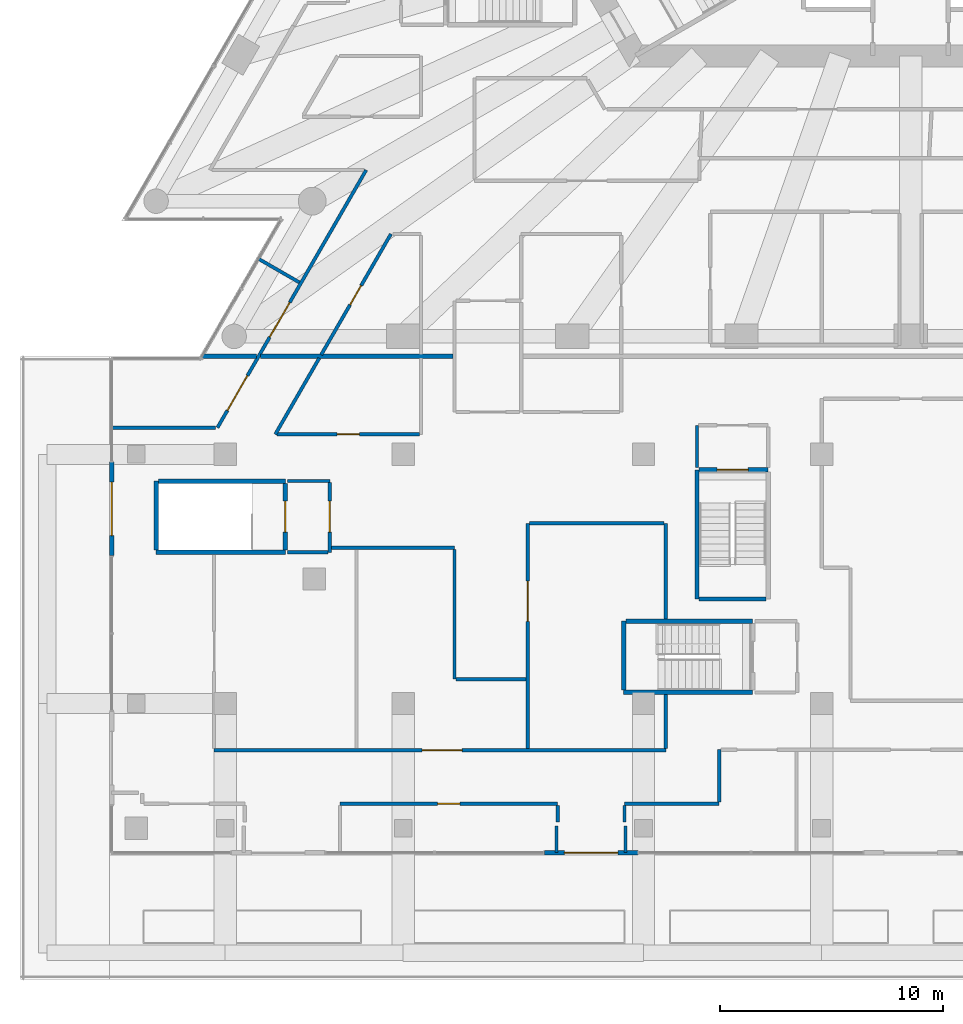
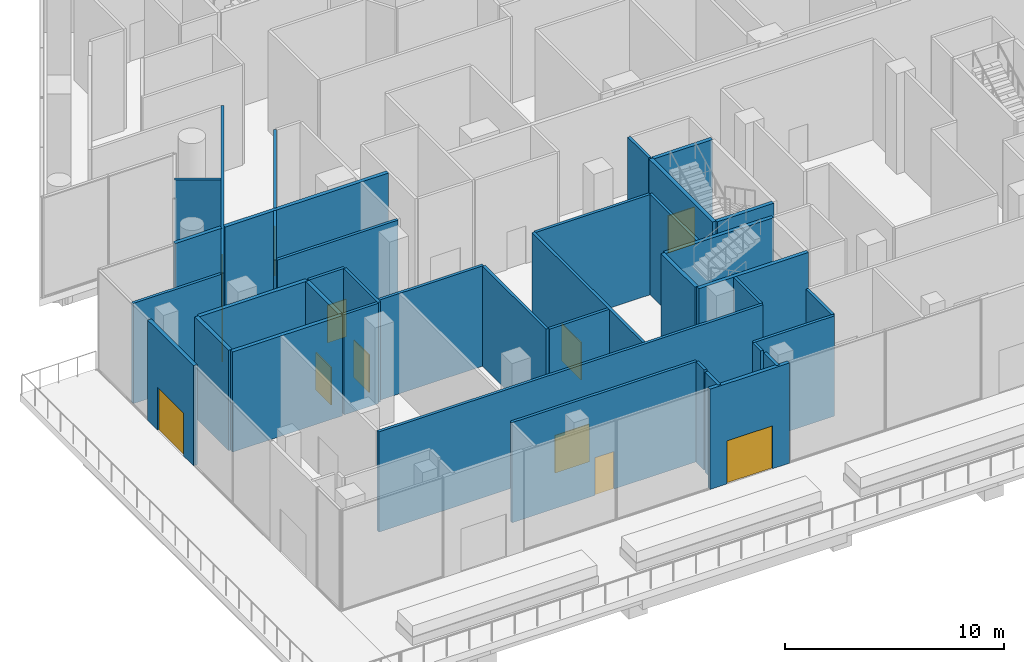
# One storey, part 22 of 36: 39 walls, 12 doors, 12 openings.
"""IFC4 building model written with IfcOpenShell, lengths in metres."""

from ifc_helpers import new_model, si_unit, direction, frame, frame_2d, origin, place, context, subcontext, project, spatial, rectangle, extrude, material, layer, layer_set, layer_usage, type_object, element, fill, save


model = new_model("IFC4")

# Units and contexts
model_context = context("Model", 3, precision=1e-05, world=origin(), true_north=direction((0.0, 1.0)))
body_context = subcontext(model_context, "Body", "Model", "MODEL_VIEW")
ifc_project = project(units=[si_unit("LENGTHUNIT", "METRE"), si_unit("AREAUNIT", "SQUARE_METRE"), si_unit("VOLUMEUNIT", "CUBIC_METRE"), si_unit("PLANEANGLEUNIT", "RADIAN"), si_unit("MASSUNIT", "GRAM", prefix="KILO")], contexts=[model_context])

# Site, building, storey
site_placement = place(None, origin())
site = spatial("IfcSite", under=ifc_project, at=site_placement, CompositionType="ELEMENT")
building_placement = place(site_placement, origin())
building = spatial("IfcBuilding", under=site, at=building_placement, Name="Triada Interchange Tower", CompositionType="ELEMENT")
storey_placement = place(building_placement, frame((0.0, 0.0, 8.5)))
storey = spatial("IfcBuildingStorey", under=building, at=storey_placement, Name="L01", CompositionType="ELEMENT", Elevation=8.5)

# Walls
ifc_material_1 = material(Name="Concrete C30/37", Category="concrete")
ifc_layer_1 = layer(ifc_material_1, 0.199951171875)
ifc_layer_set_1 = layer_set([ifc_layer_1], Name="COMPARTMENT WALL 200 EI 180")
wall_type_1 = type_object("IfcWallType", Name="COMPARTMENT WALL 200 EI 180", PredefinedType="SOLIDWALL", material=ifc_layer_set_1)
wall_1_placement = place(storey_placement, frame((-31.841064453125, -22.5, 0.0), z_axis=(0.0, 0.0, 1.0), x_axis=(1.0, 0.0, 0.0)))
element("IfcWall", 1, at=wall_1_placement, inside=storey, type_object=wall_type_1, Name="Compartment wall L01 49", PredefinedType="SOLIDWALL", context=body_context, shape_type="SweptSolid", body=[
    extrude(rectangle(XDim=2.4541015625, YDim=0.199951171875, at=frame_2d((1.22705078125, 0.0))), origin(), (0.0, 0.0, 1.0), 5.60009765625),
])
wall_2_placement = place(storey_placement, frame((-29.214111328125, -22.5, 0.0), z_axis=(0.0, 0.0, 1.0), x_axis=(1.0, 0.0, 0.0)))
element("IfcWall", 2, at=wall_2_placement, inside=storey, type_object=wall_type_1, Name="Compartment wall L01 50", PredefinedType="SOLIDWALL", context=body_context, shape_type="SweptSolid", body=[
    extrude(rectangle(XDim=8.63916015625, YDim=0.199951171875, at=frame_2d((4.319580078125, 0.0))), origin(), (0.0, 0.0, 1.0), 5.60009765625),
])
ifc_layer_2 = layer(ifc_material_1, 0.199951171875)
ifc_layer_set_2 = layer_set([ifc_layer_2], Name="CORE WALL 200 REI 240")
wall_type_2 = type_object("IfcWallType", Name="CORE WALL 200 REI 240", PredefinedType="SOLIDWALL", material=ifc_layer_set_2)
wall_3_placement = place(storey_placement, frame((-33.89990234375, -31.300048828125, 0.0), z_axis=(0.0, 0.0, 1.0), x_axis=(1.0, 0.0, 0.0)))
element("IfcWall", 3, at=wall_3_placement, inside=storey, type_object=wall_type_2, Name="Wall L01 235", PredefinedType="SOLIDWALL", context=body_context, shape_type="SweptSolid", body=[
    extrude(rectangle(XDim=5.7998046875, YDim=0.199951171875, at=frame_2d((2.89990234375, 0.0))), origin(), (0.0, 0.0, 1.0), 5.60009765625),
])
wall_4_placement = place(storey_placement, frame((-33.89990234375, -31.199951171875, 0.0), z_axis=(0.0, 0.0, 1.0), x_axis=(0.0, 1.0, 0.0)))
element("IfcWall", 4, at=wall_4_placement, inside=storey, type_object=wall_type_2, Name="Wall L01 237", PredefinedType="SOLIDWALL", context=body_context, shape_type="SweptSolid", body=[
    extrude(rectangle(XDim=3.099853515625, YDim=0.199951171875, at=frame_2d((1.5498046875, 0.0))), origin(), (0.0, 0.0, 1.0), 5.60009765625),
])
wall_5_placement = place(storey_placement, frame((-33.800048828125, -28.10009765625, 0.0), z_axis=(0.0, 0.0, 1.0), x_axis=(1.0, 0.0, 0.0)))
element("IfcWall", 5, at=wall_5_placement, inside=storey, type_object=wall_type_2, Name="Wall L01 238", PredefinedType="SOLIDWALL", context=body_context, shape_type="SweptSolid", body=[
    extrude(rectangle(XDim=5.699951171875, YDim=0.199951171875, at=frame_2d((2.85009765625, 0.0))), origin(), (0.0, 0.0, 1.0), 5.60009765625),
])

# Wall, opening, door
wall_6_placement = place(storey_placement, frame((-28.10009765625, -31.199951171875, 0.0), z_axis=(0.0, 0.0, 1.0), x_axis=(0.0, 1.0, 0.0)))
wall_6 = element("IfcWall", 6, at=wall_6_placement, inside=storey, type_object=wall_type_2, Name="Wall L01 240", PredefinedType="SOLIDWALL", context=body_context, shape_type="SweptSolid", body=[
    extrude(rectangle(XDim=3.0, YDim=0.199951171875, at=frame_2d((1.5, 0.0))), origin(), (0.0, 0.0, 1.0), 5.60009765625),
])
opening_1_placement = place(wall_6_placement, frame((0.800048828125, 0.0, 0.0)))
opening_1 = element("IfcOpeningElement", 7, at=opening_1_placement, cuts=wall_6, Name="Opening D01-23", PredefinedType="OPENING", context=body_context, shape_type="SweptSolid", body=[
    extrude(rectangle(XDim=1.39990234375, YDim=2.10009765625, at=frame_2d((0.699951171875, 1.050048828125))), frame((0.0, 0.10986328125, 0.0), z_axis=(0.0, -1.0, 0.0), x_axis=(1.0, 0.0, 0.0)), (0.0, 0.0, 1.0), 0.219970703125),
])
ifc_material_2 = material(Name="Steel S235 door leaf", Category="steel")
door_type_1 = type_object("IfcDoorType", Name="STAIR DOOR 1400 EI2 90-C5S200", OperationType="DOUBLE_DOOR_SINGLE_SWING", PredefinedType="DOOR", material=ifc_material_2)
door_1_placement = place(opening_1_placement, origin())
door_1 = element("IfcDoor", 8, at=door_1_placement, inside=storey, type_object=door_type_1, Name="Door D01-23 L01", OperationType="DOUBLE_DOOR_SINGLE_SWING", OverallHeight=2.10009765625, OverallWidth=1.39990234375, PredefinedType="DOOR", context=body_context, shape_type="SweptSolid", body=[
    extrude(rectangle(XDim=1.39990234375, YDim=2.10009765625, at=frame_2d((0.699951171875, 1.050048828125))), frame((0.0, 0.02490234375, 0.0), z_axis=(0.0, -1.0, 0.0), x_axis=(1.0, 0.0, 0.0)), (0.0, 0.0, 1.0), 0.050048828125),
])
fill(opening_1, door_1)

# Walls
wall_7_placement = place(storey_placement, frame((-12.89990234375, -37.60009765625, 0.0), z_axis=(0.0, 0.0, 1.0), x_axis=(1.0, 0.0, 0.0)))
element("IfcWall", 9, at=wall_7_placement, inside=storey, type_object=wall_type_2, Name="Wall L01 247", PredefinedType="SOLIDWALL", context=body_context, shape_type="SweptSolid", body=[
    extrude(rectangle(XDim=5.7998046875, YDim=0.199951171875, at=frame_2d((2.89990234375, 0.0))), origin(), (0.0, 0.0, 1.0), 5.60009765625),
])
wall_8_placement = place(storey_placement, frame((-12.89990234375, -37.5, 0.0), z_axis=(0.0, 0.0, 1.0), x_axis=(0.0, 1.0, 0.0)))
element("IfcWall", 10, at=wall_8_placement, inside=storey, type_object=wall_type_2, Name="Wall L01 249", PredefinedType="SOLIDWALL", context=body_context, shape_type="SweptSolid", body=[
    extrude(rectangle(XDim=3.10009765625, YDim=0.199951171875, at=frame_2d((1.550048828125, 0.0))), origin(), (0.0, 0.0, 1.0), 5.60009765625),
])
wall_9_placement = place(storey_placement, frame((-12.800048828125, -34.39990234375, 0.0), z_axis=(0.0, 0.0, 1.0), x_axis=(1.0, 0.0, 0.0)))
element("IfcWall", 11, at=wall_9_placement, inside=storey, type_object=wall_type_2, Name="Wall L01 250", PredefinedType="SOLIDWALL", context=body_context, shape_type="SweptSolid", body=[
    extrude(rectangle(XDim=5.699951171875, YDim=0.199951171875, at=frame_2d((2.85009765625, 0.0))), origin(), (0.0, 0.0, 1.0), 5.60009765625),
])
wall_10_placement = place(storey_placement, frame((-9.60009765625, -33.39990234375, 0.0), z_axis=(0.0, 0.0, 1.0), x_axis=(0.0, 1.0, 0.0)))
element("IfcWall", 12, at=wall_10_placement, inside=storey, type_object=wall_type_2, Name="Wall L01 253", PredefinedType="SOLIDWALL", context=body_context, shape_type="SweptSolid", body=[
    extrude(rectangle(XDim=5.7998046875, YDim=0.199951171875, at=frame_2d((2.89990234375, 0.0))), origin(), (0.0, 0.0, 1.0), 5.60009765625),
])

# Wall, opening, door
wall_11_placement = place(storey_placement, frame((-9.5, -27.60009765625, 0.0), z_axis=(0.0, 0.0, 1.0), x_axis=(1.0, 0.0, 0.0)))
wall_11 = element("IfcWall", 13, at=wall_11_placement, inside=storey, type_object=wall_type_2, Name="Wall L01 254", PredefinedType="SOLIDWALL", context=body_context, shape_type="SweptSolid", body=[
    extrude(rectangle(XDim=3.10009765625, YDim=0.199951171875, at=frame_2d((1.550048828125, 0.0))), origin(), (0.0, 0.0, 1.0), 5.60009765625),
])
opening_2_placement = place(wall_11_placement, frame((0.800048828125, 0.0, 0.0)))
opening_2 = element("IfcOpeningElement", 14, at=opening_2_placement, cuts=wall_11, Name="Opening D01-29", PredefinedType="OPENING", context=body_context, shape_type="SweptSolid", body=[
    extrude(rectangle(XDim=1.39990234375, YDim=2.10009765625, at=frame_2d((0.699951171875, 1.050048828125))), frame((0.0, 0.10986328125, 0.0), z_axis=(0.0, -1.0, 0.0), x_axis=(1.0, 0.0, 0.0)), (0.0, 0.0, 1.0), 0.219970703125),
])
door_2_placement = place(opening_2_placement, origin())
door_2 = element("IfcDoor", 15, at=door_2_placement, inside=storey, type_object=door_type_1, Name="Door D01-29 L01", OperationType="DOUBLE_DOOR_SINGLE_SWING", OverallHeight=2.10009765625, OverallWidth=1.39990234375, PredefinedType="DOOR", context=body_context, shape_type="SweptSolid", body=[
    extrude(rectangle(XDim=1.39990234375, YDim=2.10009765625, at=frame_2d((0.699951171875, 1.050048828125))), frame((0.0, 0.02490234375, 0.0), z_axis=(0.0, -1.0, 0.0), x_axis=(1.0, 0.0, 0.0)), (0.0, 0.0, 1.0), 0.050048828125),
])
fill(opening_2, door_2)

# Wall
wall_12_placement = place(storey_placement, frame((-9.5, -33.39990234375, 0.0), z_axis=(0.0, 0.0, 1.0), x_axis=(1.0, 0.0, 0.0)))
element("IfcWall", 16, at=wall_12_placement, inside=storey, type_object=wall_type_2, Name="Wall L01 257", PredefinedType="SOLIDWALL", context=body_context, shape_type="SweptSolid", body=[
    extrude(rectangle(XDim=3.0, YDim=0.199951171875, at=frame_2d((1.5, 0.0))), origin(), (0.0, 0.0, 1.0), 5.60009765625),
])

# Wall, opening, door
ifc_material_3 = material(Name="Cement board")
ifc_layer_3 = layer(ifc_material_3, 0.02001953125, Name="Cement board cladding")
ifc_material_4 = material(Name="Sheathing board")
ifc_layer_4 = layer(ifc_material_4, 0.014892578125, Name="Sheathing board")
ifc_material_5 = material(Name="Mineral wool")
ifc_layer_5 = layer(ifc_material_5, 0.14990234375, Name="Mineral wool between steel studs")
ifc_material_6 = material(Name="Gypsum board")
ifc_layer_6 = layer(ifc_material_6, 0.014892578125, Name="Plasterboard lining")
ifc_layer_set_3 = layer_set([ifc_layer_3, ifc_layer_4, ifc_layer_5, ifc_layer_6], Name="External wall 200")
ifc_layer_usage = layer_usage(ifc_layer_set_3, "AXIS2", "POSITIVE", -0.10009765625)
wall_type_3 = type_object("IfcWallType", Name="External wall 200", PredefinedType="ELEMENTEDWALL", material=ifc_layer_set_3)
wall_13_placement = place(storey_placement, frame((-16.4599609375, -44.800048828125, 0.0), z_axis=(0.0, 0.0, 1.0), x_axis=(1.0, 0.0, 0.0)))
wall_13 = element("IfcWall", 17, at=wall_13_placement, inside=storey, type_object=wall_type_3, material=ifc_layer_usage, Name="External wall L01 00.3", PredefinedType="ELEMENTEDWALL", context=body_context, shape_type="SweptSolid", body=[
    extrude(rectangle(XDim=4.199951171875, YDim=0.199951171875, at=frame_2d((2.10009765625, 0.0))), origin(), (0.0, 0.0, 1.0), 5.60009765625),
])
opening_3_placement = place(wall_13_placement, frame((0.89990234375, 0.0, 0.0)))
opening_3 = element("IfcOpeningElement", 18, at=opening_3_placement, cuts=wall_13, Name="Opening DX30", PredefinedType="OPENING", context=body_context, shape_type="SweptSolid", body=[
    extrude(rectangle(XDim=2.39990234375, YDim=2.39990234375, at=frame_2d((1.199951171875, 1.199951171875))), frame((0.0, 0.10986328125, 0.0), z_axis=(0.0, -1.0, 0.0), x_axis=(1.0, 0.0, 0.0)), (0.0, 0.0, 1.0), 0.219970703125),
])
ifc_material_7 = material(Name="Aluminium and glass", Category="aluminium")
door_type_2 = type_object("IfcDoorType", Name="Terrace door double", OperationType="DOUBLE_DOOR_SINGLE_SWING", PredefinedType="DOOR", material=ifc_material_7)
door_3_placement = place(opening_3_placement, frame((2.39990234375, 0.0, 0.0), z_axis=(0.0, 0.0, 1.0), x_axis=(-1.0, 0.0, 0.0)))
door_3 = element("IfcDoor", 19, at=door_3_placement, inside=storey, type_object=door_type_2, Name="Door DX30 L01", OperationType="DOUBLE_DOOR_SINGLE_SWING", OverallHeight=2.39990234375, OverallWidth=2.39990234375, PredefinedType="DOOR", context=body_context, shape_type="SweptSolid", body=[
    extrude(rectangle(XDim=2.39990234375, YDim=2.39990234375, at=frame_2d((1.199951171875, 1.199951171875))), frame((0.0, 0.02490234375, 0.0), z_axis=(0.0, -1.0, 0.0), x_axis=(1.0, 0.0, 0.0)), (0.0, 0.0, 1.0), 0.050048828125),
])
fill(opening_3, door_3)

wall_14_placement = place(storey_placement, frame((-35.89990234375, -27.25, 0.0), z_axis=(0.0, 0.0, 1.0), x_axis=(0.0, -1.0, 0.0)))
wall_14 = element("IfcWall", 20, at=wall_14_placement, inside=storey, type_object=wall_type_3, material=ifc_layer_usage, Name="External wall L01 12.1", PredefinedType="ELEMENTEDWALL", context=body_context, shape_type="SweptSolid", body=[
    extrude(rectangle(XDim=4.199951171875, YDim=0.199951171875, at=frame_2d((2.10009765625, 0.0))), origin(), (0.0, 0.0, 1.0), 5.60009765625),
])
opening_4_placement = place(wall_14_placement, frame((0.89990234375, 0.0, 0.0)))
opening_4 = element("IfcOpeningElement", 21, at=opening_4_placement, cuts=wall_14, Name="Opening DX36", PredefinedType="OPENING", context=body_context, shape_type="SweptSolid", body=[
    extrude(rectangle(XDim=2.39990234375, YDim=2.39990234375, at=frame_2d((1.199951171875, 1.199951171875))), frame((0.0, 0.10986328125, 0.0), z_axis=(0.0, -1.0, 0.0), x_axis=(1.0, 0.0, 0.0)), (0.0, 0.0, 1.0), 0.219970703125),
])
door_4_placement = place(opening_4_placement, frame((2.39990234375, 0.0, 0.0), z_axis=(0.0, 0.0, 1.0), x_axis=(-1.0, 0.0, 0.0)))
door_4 = element("IfcDoor", 22, at=door_4_placement, inside=storey, type_object=door_type_2, Name="Door DX36 L01", OperationType="DOUBLE_DOOR_SINGLE_SWING", OverallHeight=2.39990234375, OverallWidth=2.39990234375, PredefinedType="DOOR", context=body_context, shape_type="SweptSolid", body=[
    extrude(rectangle(XDim=2.39990234375, YDim=2.39990234375, at=frame_2d((1.199951171875, 1.199951171875))), frame((0.0, 0.02490234375, 0.0), z_axis=(0.0, -1.0, 0.0), x_axis=(1.0, 0.0, 0.0)), (0.0, 0.0, 1.0), 0.050048828125),
])
fill(opening_4, door_4)

# Walls
ifc_material_8 = material(Name="Gypsum board partition")
ifc_layer_7 = layer(ifc_material_8, 0.14990234375)
ifc_layer_set_4 = layer_set([ifc_layer_7], Name="PARTITION 150")
wall_type_4 = type_object("IfcWallType", Name="PARTITION 150", PredefinedType="PARTITIONING", material=ifc_layer_set_4)
wall_15_placement = place(storey_placement, frame((-29.30810546875, -18.113037109375, 0.0), z_axis=(0.0, 0.0, 1.0), x_axis=(0.866214269573, -0.499672732084, 0.0)))
element("IfcWall", 23, at=wall_15_placement, inside=storey, type_object=wall_type_4, Name="Wall L01 56", PredefinedType="PARTITIONING", context=body_context, shape_type="SweptSolid", body=[
    extrude(rectangle(XDim=2.12548828125, YDim=0.14990234375, at=frame_2d((1.062744140625, 0.0))), origin(), (0.0, 0.0, 1.0), 5.60009765625),
])
ifc_layer_8 = layer(ifc_material_8, 0.14990234375)
ifc_layer_set_5 = layer_set([ifc_layer_8], Name="PARTITION 150 EI 180")
wall_type_5 = type_object("IfcWallType", Name="PARTITION 150 EI 180", PredefinedType="PARTITIONING", material=ifc_layer_set_5)
wall_16_placement = place(storey_placement, frame((-28.0, -28.10009765625, 0.0), z_axis=(0.0, 0.0, 1.0), x_axis=(1.0, 0.0, 0.0)))
element("IfcWall", 24, at=wall_16_placement, inside=storey, type_object=wall_type_5, Name="Wall L01 1", PredefinedType="PARTITIONING", context=body_context, shape_type="SweptSolid", body=[
    extrude(rectangle(XDim=1.89990234375, YDim=0.14990234375, at=frame_2d((0.949951171875, 0.0))), origin(), (0.0, 0.0, 1.0), 5.60009765625),
])

# Wall, opening, door
wall_17_placement = place(storey_placement, frame((-26.10009765625, -31.300048828125, 0.0), z_axis=(0.0, 0.0, 1.0), x_axis=(0.0, 1.0, 0.0)))
wall_17 = element("IfcWall", 25, at=wall_17_placement, inside=storey, type_object=wall_type_5, Name="Wall L01 3", PredefinedType="PARTITIONING", context=body_context, shape_type="SweptSolid", body=[
    extrude(rectangle(XDim=3.125, YDim=0.14990234375, at=frame_2d((1.5625, 0.0))), origin(), (0.0, 0.0, 1.0), 5.60009765625),
])
opening_5_placement = place(wall_17_placement, frame((0.89990234375, 0.0, 0.0)))
opening_5 = element("IfcOpeningElement", 26, at=opening_5_placement, cuts=wall_17, Name="Opening D01-24", PredefinedType="OPENING", context=body_context, shape_type="SweptSolid", body=[
    extrude(rectangle(XDim=1.39990234375, YDim=2.10009765625, at=frame_2d((0.699951171875, 1.050048828125))), frame((0.0, 0.0849609375, 0.0), z_axis=(0.0, -1.0, 0.0), x_axis=(1.0, 0.0, 0.0)), (0.0, 0.0, 1.0), 0.169921875),
])
door_5_placement = place(opening_5_placement, origin())
door_5 = element("IfcDoor", 27, at=door_5_placement, inside=storey, type_object=door_type_1, Name="Door D01-24 L01", OperationType="DOUBLE_DOOR_SINGLE_SWING", OverallHeight=2.10009765625, OverallWidth=1.39990234375, PredefinedType="DOOR", context=body_context, shape_type="SweptSolid", body=[
    extrude(rectangle(XDim=1.39990234375, YDim=2.10009765625, at=frame_2d((0.699951171875, 1.050048828125))), frame((0.0, 0.02490234375, 0.0), z_axis=(0.0, -1.0, 0.0), x_axis=(1.0, 0.0, 0.0)), (0.0, 0.0, 1.0), 0.050048828125),
])
fill(opening_5, door_5)

# Walls
wall_18_placement = place(storey_placement, frame((-28.0, -31.300048828125, 0.0), z_axis=(0.0, 0.0, 1.0), x_axis=(1.0, 0.0, 0.0)))
element("IfcWall", 28, at=wall_18_placement, inside=storey, type_object=wall_type_5, Name="Wall L01 4", PredefinedType="PARTITIONING", context=body_context, shape_type="SweptSolid", body=[
    extrude(rectangle(XDim=1.824951171875, YDim=0.14990234375, at=frame_2d((0.91259765625, 0.0))), origin(), (0.0, 0.0, 1.0), 5.60009765625),
])
wall_19_placement = place(storey_placement, frame((-9.60009765625, -27.5, 0.0), z_axis=(0.0, 0.0, 1.0), x_axis=(0.0, 1.0, 0.0)))
element("IfcWall", 29, at=wall_19_placement, inside=storey, type_object=wall_type_5, Name="Wall L01 11", PredefinedType="PARTITIONING", context=body_context, shape_type="SweptSolid", body=[
    extrude(rectangle(XDim=1.89990234375, YDim=0.14990234375, at=frame_2d((0.949951171875, 0.0))), origin(), (0.0, 0.0, 1.0), 5.60009765625),
])

# Wall, opening, door
ifc_layer_9 = layer(ifc_material_8, 0.14990234375)
ifc_layer_set_6 = layer_set([ifc_layer_9], Name="PARTITION 150 EI 90")
wall_type_6 = type_object("IfcWallType", Name="PARTITION 150 EI 90", PredefinedType="PARTITIONING", material=ifc_layer_set_6)
wall_20_placement = place(storey_placement, frame((-25.64306640625, -42.60009765625, 0.0), z_axis=(0.0, 0.0, 1.0), x_axis=(1.0, 0.0, 0.0)))
wall_20 = element("IfcWall", 30, at=wall_20_placement, inside=storey, type_object=wall_type_6, Name="Wall L01 40", PredefinedType="PARTITIONING", context=body_context, shape_type="SweptSolid", body=[
    extrude(rectangle(XDim=9.782958984375, YDim=0.14990234375, at=frame_2d((4.8916015625, 0.0))), origin(), (0.0, 0.0, 1.0), 5.60009765625),
])
opening_6_placement = place(wall_20_placement, frame((4.39208984375, 0.0, 0.0)))
opening_6 = element("IfcOpeningElement", 31, at=opening_6_placement, cuts=wall_20, Name="Opening D01-50", PredefinedType="OPENING", context=body_context, shape_type="SweptSolid", body=[
    extrude(rectangle(XDim=1.0, YDim=2.10009765625, at=frame_2d((0.5, 1.050048828125))), frame((0.0, 0.0849609375, 0.0), z_axis=(0.0, -1.0, 0.0), x_axis=(1.0, 0.0, 0.0)), (0.0, 0.0, 1.0), 0.169921875),
])
door_type_3 = type_object("IfcDoorType", Name="ROOM DOOR 1000 EI2 90-C5S200", OperationType="NOTDEFINED", PredefinedType="DOOR", material=ifc_material_2)
door_6_placement = place(opening_6_placement, origin())
door_6 = element("IfcDoor", 32, at=door_6_placement, inside=storey, type_object=door_type_3, Name="Door D01-50 L01", OperationType="SINGLE_SWING_RIGHT", OverallHeight=2.10009765625, OverallWidth=1.0, PredefinedType="DOOR", context=body_context, shape_type="SweptSolid", body=[
    extrude(rectangle(XDim=1.0, YDim=2.10009765625, at=frame_2d((0.5, 1.050048828125))), frame((0.0, 0.02490234375, 0.0), z_axis=(0.0, -1.0, 0.0), x_axis=(1.0, 0.0, 0.0)), (0.0, 0.0, 1.0), 0.050048828125),
])
fill(opening_6, door_6)

# Wall
wall_21_placement = place(storey_placement, frame((-12.860107421875, -42.60009765625, 0.0), z_axis=(0.0, 0.0, 1.0), x_axis=(1.0, 0.0, 0.0)))
element("IfcWall", 33, at=wall_21_placement, inside=storey, type_object=wall_type_6, Name="Wall L01 41", PredefinedType="PARTITIONING", context=body_context, shape_type="SweptSolid", body=[
    extrude(rectangle(XDim=4.260009765625, YDim=0.14990234375, at=frame_2d((2.1298828125, 0.0))), origin(), (0.0, 0.0, 1.0), 5.60009765625),
])

# Wall, openings, doors
wall_22_placement = place(storey_placement, frame((-31.14794921875, -25.699951171875, 0.0), z_axis=(0.0, 0.0, 1.0), x_axis=(0.499948573786, 0.866055092687, 0.0)))
wall_22 = element("IfcWall", 34, at=wall_22_placement, inside=storey, type_object=wall_type_6, Name="Wall L01 47", PredefinedType="PARTITIONING", context=body_context, shape_type="SweptSolid", body=[
    extrude(rectangle(XDim=13.365234375, YDim=0.14990234375, at=frame_2d((6.6826171875, 0.0))), origin(), (0.0, 0.0, 1.0), 5.60009765625),
])
opening_7_placement = place(wall_22_placement, frame((4.693115234375, 0.0, 0.0)))
opening_7 = element("IfcOpeningElement", 35, at=opening_7_placement, cuts=wall_22, Name="Opening D01-60", PredefinedType="OPENING", context=body_context, shape_type="SweptSolid", body=[
    extrude(rectangle(XDim=1.800048828125, YDim=2.10009765625, at=frame_2d((0.89990234375, 1.050048828125))), frame((0.0, 0.0849609375, 0.0), z_axis=(0.0, -1.0, 0.0), x_axis=(1.0, 0.0, 0.0)), (0.0, 0.0, 1.0), 0.169921875),
])
opening_8_placement = place(wall_22_placement, frame((0.89501953125, 0.0, 0.0)))
opening_8 = element("IfcOpeningElement", 36, at=opening_8_placement, cuts=wall_22, Name="Opening D01-61", PredefinedType="OPENING", context=body_context, shape_type="SweptSolid", body=[
    extrude(rectangle(XDim=1.800048828125, YDim=2.10009765625, at=frame_2d((0.89990234375, 1.050048828125))), frame((0.0, 0.0849609375, 0.0), z_axis=(0.0, -1.0, 0.0), x_axis=(1.0, 0.0, 0.0)), (0.0, 0.0, 1.0), 0.169921875),
])
door_type_4 = type_object("IfcDoorType", Name="SHOP AND HALL ENTRANCE DOOR 1800 EI2 90-C5S200", OperationType="DOUBLE_DOOR_SINGLE_SWING", PredefinedType="DOOR", material=ifc_material_2)
door_7_placement = place(opening_7_placement, origin())
door_7 = element("IfcDoor", 37, at=door_7_placement, inside=storey, type_object=door_type_4, Name="Door D01-60 L01", OperationType="DOUBLE_DOOR_SINGLE_SWING", OverallHeight=2.10009765625, OverallWidth=1.800048828125, PredefinedType="DOOR", context=body_context, shape_type="SweptSolid", body=[
    extrude(rectangle(XDim=1.800048828125, YDim=2.10009765625, at=frame_2d((0.89990234375, 1.050048828125))), frame((0.0, 0.02490234375, 0.0), z_axis=(0.0, -1.0, 0.0), x_axis=(1.0, 0.0, 0.0)), (0.0, 0.0, 1.0), 0.050048828125),
])
fill(opening_7, door_7)
door_8_placement = place(opening_8_placement, origin())
door_8 = element("IfcDoor", 38, at=door_8_placement, inside=storey, type_object=door_type_4, Name="Door D01-61 L01", OperationType="DOUBLE_DOOR_SINGLE_SWING", OverallHeight=2.10009765625, OverallWidth=1.800048828125, PredefinedType="DOOR", context=body_context, shape_type="SweptSolid", body=[
    extrude(rectangle(XDim=1.800048828125, YDim=2.10009765625, at=frame_2d((0.89990234375, 1.050048828125))), frame((0.0, 0.02490234375, 0.0), z_axis=(0.0, -1.0, 0.0), x_axis=(1.0, 0.0, 0.0)), (0.0, 0.0, 1.0), 0.050048828125),
])
fill(opening_8, door_8)

# Wall
wall_23_placement = place(storey_placement, frame((-35.89990234375, -25.699951171875, 0.0), z_axis=(0.0, 0.0, 1.0), x_axis=(1.0, 0.0, 0.0)))
element("IfcWall", 39, at=wall_23_placement, inside=storey, type_object=wall_type_6, Name="Wall L01 48", PredefinedType="PARTITIONING", context=body_context, shape_type="SweptSolid", body=[
    extrude(rectangle(XDim=4.666015625, YDim=0.14990234375, at=frame_2d((2.3330078125, 0.0))), origin(), (0.0, 0.0, 1.0), 5.60009765625),
])

# Wall, opening, door
wall_24_placement = place(storey_placement, frame((-31.300048828125, -40.199951171875, 0.0), z_axis=(0.0, 0.0, 1.0), x_axis=(1.0, 0.0, 0.0)))
wall_24 = element("IfcWall", 40, at=wall_24_placement, inside=storey, type_object=wall_type_6, Name="Wall L01 53", PredefinedType="PARTITIONING", context=body_context, shape_type="SweptSolid", body=[
    extrude(rectangle(XDim=20.300048828125, YDim=0.14990234375, at=frame_2d((10.14990234375, 0.0))), origin(), (0.0, 0.0, 1.0), 5.60009765625),
])
opening_9_placement = place(wall_24_placement, frame((9.35009765625, 0.0, 0.0)))
opening_9 = element("IfcOpeningElement", 41, at=opening_9_placement, cuts=wall_24, Name="Opening D01-32", PredefinedType="OPENING", context=body_context, shape_type="SweptSolid", body=[
    extrude(rectangle(XDim=1.800048828125, YDim=2.10009765625, at=frame_2d((0.89990234375, 1.050048828125))), frame((0.0, 0.0849609375, 0.0), z_axis=(0.0, -1.0, 0.0), x_axis=(1.0, 0.0, 0.0)), (0.0, 0.0, 1.0), 0.169921875),
])
door_9_placement = place(opening_9_placement, origin())
door_9 = element("IfcDoor", 42, at=door_9_placement, inside=storey, type_object=door_type_4, Name="Door D01-32 L01", OperationType="DOUBLE_DOOR_SINGLE_SWING", OverallHeight=2.10009765625, OverallWidth=1.800048828125, PredefinedType="DOOR", context=body_context, shape_type="SweptSolid", body=[
    extrude(rectangle(XDim=1.800048828125, YDim=2.10009765625, at=frame_2d((0.89990234375, 1.050048828125))), frame((0.0, 0.02490234375, 0.0), z_axis=(0.0, -1.0, 0.0), x_axis=(1.0, 0.0, 0.0)), (0.0, 0.0, 1.0), 0.050048828125),
])
fill(opening_9, door_9)

# Wall
wall_25_placement = place(storey_placement, frame((-28.550048828125, -26.0, 0.0), z_axis=(0.0, 0.0, 1.0), x_axis=(0.50010893147, 0.865962503036, 0.0)))
element("IfcWall", 43, at=wall_25_placement, inside=storey, type_object=wall_type_6, Name="Wall L01 66", PredefinedType="PARTITIONING", context=body_context, shape_type="SweptSolid", body=[
    extrude(rectangle(XDim=3.955078125, YDim=0.14990234375, at=frame_2d((1.9775390625, 0.0))), origin(), (0.0, 0.0, 1.0), 5.60009765625),
])

# Wall, opening, door
wall_26_placement = place(storey_placement, frame((-26.486083984375, -22.425048828125, 0.0), z_axis=(0.0, 0.0, 1.0), x_axis=(0.499991221239, 0.866030472145, 0.0)))
wall_26 = element("IfcWall", 44, at=wall_26_placement, inside=storey, type_object=wall_type_6, Name="Wall L01 67", PredefinedType="PARTITIONING", context=body_context, shape_type="SweptSolid", body=[
    extrude(rectangle(XDim=6.26416015625, YDim=0.14990234375, at=frame_2d((3.132080078125, 0.0))), origin(), (0.0, 0.0, 1.0), 5.60009765625),
])
opening_10_placement = place(wall_26_placement, frame((2.589111328125, 0.0, 0.0)))
opening_10 = element("IfcOpeningElement", 45, at=opening_10_placement, cuts=wall_26, Name="Opening D01-36", PredefinedType="OPENING", context=body_context, shape_type="SweptSolid", body=[
    extrude(rectangle(XDim=1.0, YDim=2.10009765625, at=frame_2d((0.5, 1.050048828125))), frame((0.0, 0.0849609375, 0.0), z_axis=(0.0, -1.0, 0.0), x_axis=(1.0, 0.0, 0.0)), (0.0, 0.0, 1.0), 0.169921875),
])
door_10_placement = place(opening_10_placement, origin())
door_10 = element("IfcDoor", 46, at=door_10_placement, inside=storey, type_object=door_type_3, Name="Door D01-36 L01", OperationType="SINGLE_SWING_LEFT", OverallHeight=2.10009765625, OverallWidth=1.0, PredefinedType="DOOR", context=body_context, shape_type="SweptSolid", body=[
    extrude(rectangle(XDim=1.0, YDim=2.10009765625, at=frame_2d((0.5, 1.050048828125))), frame((0.0, 0.02490234375, 0.0), z_axis=(0.0, -1.0, 0.0), x_axis=(1.0, 0.0, 0.0)), (0.0, 0.0, 1.0), 0.050048828125),
])
fill(opening_10, door_10)

wall_27_placement = place(storey_placement, frame((-28.462890625, -26.0, 0.0), z_axis=(0.0, 0.0, 1.0), x_axis=(1.0, 0.0, 0.0)))
wall_27 = element("IfcWall", 47, at=wall_27_placement, inside=storey, type_object=wall_type_6, Name="Wall L01 73", PredefinedType="PARTITIONING", context=body_context, shape_type="SweptSolid", body=[
    extrude(rectangle(XDim=6.387939453125, YDim=0.14990234375, at=frame_2d((3.19384765625, 0.0))), origin(), (0.0, 0.0, 1.0), 5.60009765625),
])
opening_11_placement = place(wall_27_placement, frame((2.68798828125, 0.0, 0.0)))
opening_11 = element("IfcOpeningElement", 48, at=opening_11_placement, cuts=wall_27, Name="Opening D01-37", PredefinedType="OPENING", context=body_context, shape_type="SweptSolid", body=[
    extrude(rectangle(XDim=1.0, YDim=2.10009765625, at=frame_2d((0.5, 1.050048828125))), frame((0.0, 0.0849609375, 0.0), z_axis=(0.0, -1.0, 0.0), x_axis=(1.0, 0.0, 0.0)), (0.0, 0.0, 1.0), 0.169921875),
])
door_11_placement = place(opening_11_placement, origin())
door_11 = element("IfcDoor", 49, at=door_11_placement, inside=storey, type_object=door_type_3, Name="Door D01-37 L01", OperationType="SINGLE_SWING_RIGHT", OverallHeight=2.10009765625, OverallWidth=1.0, PredefinedType="DOOR", context=body_context, shape_type="SweptSolid", body=[
    extrude(rectangle(XDim=1.0, YDim=2.10009765625, at=frame_2d((0.5, 1.050048828125))), frame((0.0, 0.02490234375, 0.0), z_axis=(0.0, -1.0, 0.0), x_axis=(1.0, 0.0, 0.0)), (0.0, 0.0, 1.0), 0.050048828125),
])
fill(opening_11, door_11)

# Walls
wall_28_placement = place(storey_placement, frame((-26.02490234375, -31.10009765625, 0.0), z_axis=(0.0, 0.0, 1.0), x_axis=(1.0, 0.0, 0.0)))
element("IfcWall", 50, at=wall_28_placement, inside=storey, type_object=wall_type_6, Name="Wall L01 75", PredefinedType="PARTITIONING", context=body_context, shape_type="SweptSolid", body=[
    extrude(rectangle(XDim=5.52490234375, YDim=0.14990234375, at=frame_2d((2.762451171875, 0.0))), origin(), (0.0, 0.0, 1.0), 5.60009765625),
])
wall_29_placement = place(storey_placement, frame((-15.860107421875, -43.4208984375, 0.0), z_axis=(0.0, 0.0, 1.0), x_axis=(0.0, 1.0, 0.0)))
element("IfcWall", 51, at=wall_29_placement, inside=storey, type_object=wall_type_6, Name="Wall L01 78", PredefinedType="PARTITIONING", context=body_context, shape_type="SweptSolid", body=[
    extrude(rectangle(XDim=0.745849609375, YDim=0.14990234375, at=frame_2d((0.373046875, 0.0))), origin(), (0.0, 0.0, 1.0), 5.60009765625),
])
wall_30_placement = place(storey_placement, frame((-15.909912109375, -44.800048828125, 0.0), z_axis=(0.0, 0.0, 1.0), x_axis=(0.0, 1.0, 0.0)))
element("IfcWall", 52, at=wall_30_placement, inside=storey, type_object=wall_type_6, Name="Wall L01 79", PredefinedType="PARTITIONING", context=body_context, shape_type="SweptSolid", body=[
    extrude(rectangle(XDim=1.199951171875, YDim=0.14990234375, at=frame_2d((0.60009765625, 0.0))), origin(), (0.0, 0.0, 1.0), 5.60009765625),
])
wall_31_placement = place(storey_placement, frame((-20.5, -37.0, 0.0), z_axis=(0.0, 0.0, 1.0), x_axis=(0.0, 1.0, 0.0)))
element("IfcWall", 53, at=wall_31_placement, inside=storey, type_object=wall_type_6, Name="Wall L01 81", PredefinedType="PARTITIONING", context=body_context, shape_type="SweptSolid", body=[
    extrude(rectangle(XDim=5.824951171875, YDim=0.14990234375, at=frame_2d((2.91259765625, 0.0))), origin(), (0.0, 0.0, 1.0), 5.60009765625),
])
wall_32_placement = place(storey_placement, frame((-20.425048828125, -37.0, 0.0), z_axis=(0.0, 0.0, 1.0), x_axis=(1.0, 0.0, 0.0)))
element("IfcWall", 54, at=wall_32_placement, inside=storey, type_object=wall_type_6, Name="Wall L01 82", PredefinedType="PARTITIONING", context=body_context, shape_type="SweptSolid", body=[
    extrude(rectangle(XDim=3.150146484375, YDim=0.14990234375, at=frame_2d((1.5751953125, 0.0))), origin(), (0.0, 0.0, 1.0), 5.60009765625),
])
wall_33_placement = place(storey_placement, frame((-11.0, -40.125, 0.0), z_axis=(0.0, 0.0, 1.0), x_axis=(0.0, 1.0, 0.0)))
element("IfcWall", 55, at=wall_33_placement, inside=storey, type_object=wall_type_6, Name="Wall L01 100", PredefinedType="PARTITIONING", context=body_context, shape_type="SweptSolid", body=[
    extrude(rectangle(XDim=2.425048828125, YDim=0.14990234375, at=frame_2d((1.21240234375, 0.0))), origin(), (0.0, 0.0, 1.0), 5.60009765625),
])
wall_34_placement = place(storey_placement, frame((-11.0, -34.300048828125, 0.0), z_axis=(0.0, 0.0, 1.0), x_axis=(0.0, 1.0, 0.0)))
element("IfcWall", 56, at=wall_34_placement, inside=storey, type_object=wall_type_6, Name="Wall L01 101", PredefinedType="PARTITIONING", context=body_context, shape_type="SweptSolid", body=[
    extrude(rectangle(XDim=4.300048828125, YDim=0.14990234375, at=frame_2d((2.14990234375, 0.0))), origin(), (0.0, 0.0, 1.0), 5.60009765625),
])

# Wall, opening, door
wall_35_placement = place(storey_placement, frame((-17.199951171875, -40.125, 0.0), z_axis=(0.0, 0.0, 1.0), x_axis=(0.0, 1.0, 0.0)))
wall_35 = element("IfcWall", 57, at=wall_35_placement, inside=storey, type_object=wall_type_6, Name="Wall L01 102", PredefinedType="PARTITIONING", context=body_context, shape_type="SweptSolid", body=[
    extrude(rectangle(XDim=10.125, YDim=0.14990234375, at=frame_2d((5.0625, 0.0))), origin(), (0.0, 0.0, 1.0), 5.60009765625),
])
opening_12_placement = place(wall_35_placement, frame((5.72412109375, 0.0, 0.0)))
opening_12 = element("IfcOpeningElement", 58, at=opening_12_placement, cuts=wall_35, Name="Opening D01-33", PredefinedType="OPENING", context=body_context, shape_type="SweptSolid", body=[
    extrude(rectangle(XDim=1.800048828125, YDim=2.10009765625, at=frame_2d((0.89990234375, 1.050048828125))), frame((0.0, 0.0849609375, 0.0), z_axis=(0.0, -1.0, 0.0), x_axis=(1.0, 0.0, 0.0)), (0.0, 0.0, 1.0), 0.169921875),
])
door_12_placement = place(opening_12_placement, origin())
door_12 = element("IfcDoor", 59, at=door_12_placement, inside=storey, type_object=door_type_4, Name="Door D01-33 L01", OperationType="DOUBLE_DOOR_SINGLE_SWING", OverallHeight=2.10009765625, OverallWidth=1.800048828125, PredefinedType="DOOR", context=body_context, shape_type="SweptSolid", body=[
    extrude(rectangle(XDim=1.800048828125, YDim=2.10009765625, at=frame_2d((0.89990234375, 1.050048828125))), frame((0.0, 0.02490234375, 0.0), z_axis=(0.0, -1.0, 0.0), x_axis=(1.0, 0.0, 0.0)), (0.0, 0.0, 1.0), 0.050048828125),
])
fill(opening_12, door_12)

# Walls
wall_36_placement = place(storey_placement, frame((-17.125, -30.0, 0.0), z_axis=(0.0, 0.0, 1.0), x_axis=(1.0, 0.0, 0.0)))
element("IfcWall", 60, at=wall_36_placement, inside=storey, type_object=wall_type_6, Name="Wall L01 103", PredefinedType="PARTITIONING", context=body_context, shape_type="SweptSolid", body=[
    extrude(rectangle(XDim=6.050048828125, YDim=0.14990234375, at=frame_2d((3.02490234375, 0.0))), origin(), (0.0, 0.0, 1.0), 5.60009765625),
])
wall_37_placement = place(storey_placement, frame((-12.81005859375, -44.800048828125, 0.0), z_axis=(0.0, 0.0, 1.0), x_axis=(0.0, 1.0, 0.0)))
element("IfcWall", 61, at=wall_37_placement, inside=storey, type_object=wall_type_6, Name="Wall L01 105", PredefinedType="PARTITIONING", context=body_context, shape_type="SweptSolid", body=[
    extrude(rectangle(XDim=1.199951171875, YDim=0.14990234375, at=frame_2d((0.60009765625, 0.0))), origin(), (0.0, 0.0, 1.0), 5.60009765625),
])
wall_38_placement = place(storey_placement, frame((-12.860107421875, -43.4208984375, 0.0), z_axis=(0.0, 0.0, 1.0), x_axis=(0.0, 1.0, 0.0)))
element("IfcWall", 62, at=wall_38_placement, inside=storey, type_object=wall_type_6, Name="Wall L01 106", PredefinedType="PARTITIONING", context=body_context, shape_type="SweptSolid", body=[
    extrude(rectangle(XDim=0.745849609375, YDim=0.14990234375, at=frame_2d((0.373046875, 0.0))), origin(), (0.0, 0.0, 1.0), 5.60009765625),
])
wall_39_placement = place(storey_placement, frame((-8.60009765625, -42.52490234375, 0.0), z_axis=(0.0, 0.0, 1.0), x_axis=(0.0, 1.0, 0.0)))
element("IfcWall", 63, at=wall_39_placement, inside=storey, type_object=wall_type_6, Name="Wall L01 107", PredefinedType="PARTITIONING", context=body_context, shape_type="SweptSolid", body=[
    extrude(rectangle(XDim=2.350830078125, YDim=0.14990234375, at=frame_2d((1.17529296875, 0.0))), origin(), (0.0, 0.0, 1.0), 5.60009765625),
])

save(model, "model.ifc")
